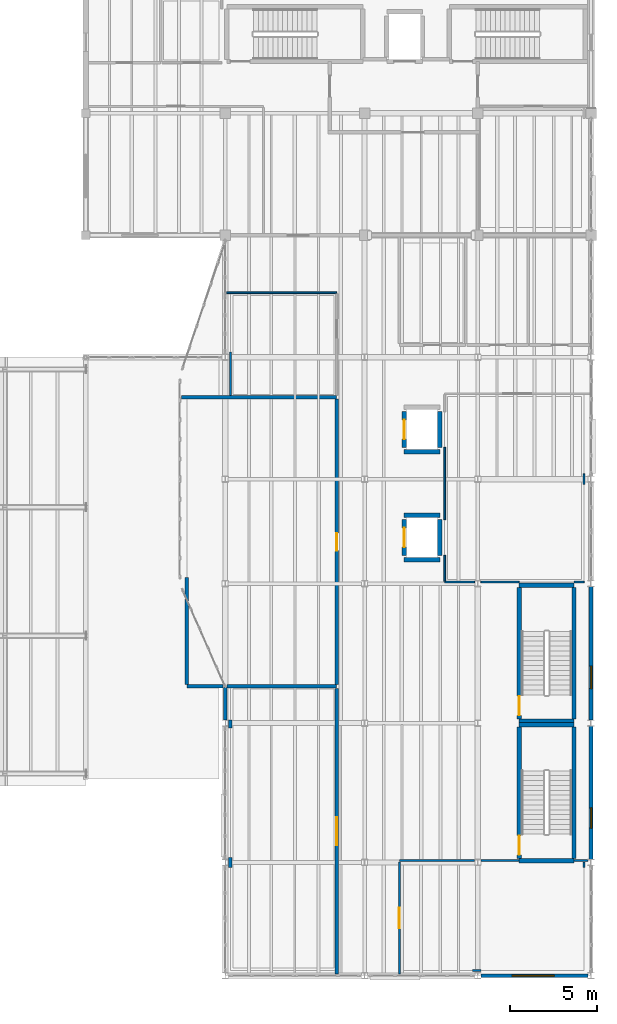
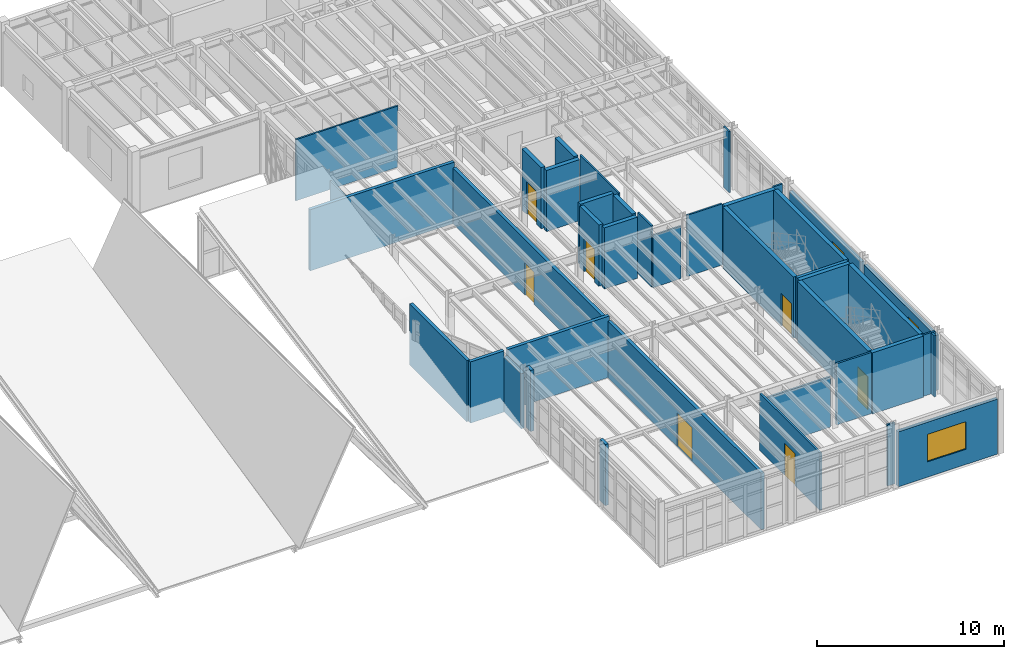
# One storey, part 72 of 77: 41 walls, 7 doors, 3 windows, 10 openings.
"""IFC4 building model written with IfcOpenShell, lengths in metres."""

import ifcopenshell
import ifcopenshell.guid

model = None  # the IFC model being written
_history = None  # IfcOwnerHistory: only IFC2X3 demands one
_inside = {}  # id of a spatial element -> (the spatial element, [elements in it])
_under = {}  # id of a project, library or spatial element -> (it, [spatial elements below it])
_declared = {}  # id of a project -> (the project, [libraries it declares])
_typed = {}  # id of a type object -> (the type object, [elements of that type])
_made_of = {}  # id of a material, layer set ... -> (it, [elements and type objects made of it])


def new_model(schema):
    """Start an empty IFC model of exactly this schema.

    Asked for "IFC4X3", IfcOpenShell would pick the latest addendum, in which some entities
    have other attributes; the version numbers below select the first issue.
    IFC2X3 requires an IfcOwnerHistory on every rooted entity: one is made here for all.
    """
    global model, _history
    if schema == "IFC4X3":
        model = ifcopenshell.file(schema_version=(4, 3, 0, 0))
    else:
        model = ifcopenshell.file(schema=schema)
    _inside.clear()
    _under.clear()
    _declared.clear()
    _typed.clear()
    _made_of.clear()
    _history = None
    if model.schema == "IFC2X3":
        org = make("IfcOrganization", Name="unknown")
        user = make(
            "IfcPersonAndOrganization",
            ThePerson=make("IfcPerson", FamilyName="unknown"),
            TheOrganization=org,
        )
        app = make(
            "IfcApplication",
            ApplicationDeveloper=org,
            Version="unknown",
            ApplicationFullName="unknown",
            ApplicationIdentifier="unknown",
        )
        _history = make(
            "IfcOwnerHistory",
            OwningUser=user,
            OwningApplication=app,
            ChangeAction="ADDED",
            CreationDate=0,
        )
    return model


def make(cls, **values):
    """One entity of the class cls with the attributes given. An attribute that is None is left unset."""
    return model.create_entity(
        cls, **{name: value for name, value in values.items() if value is not None}
    )


def rooted(cls, **values):
    """An entity with a GlobalId (a new one), such as an element, a storey or a relation."""
    return make(cls, GlobalId=ifcopenshell.guid.new(), OwnerHistory=_history, **values)


def si_unit(unit_type, name, prefix=None):
    """IfcSIUnit, for example si_unit("LENGTHUNIT", "METRE", prefix="MILLI")."""
    return make("IfcSIUnit", UnitType=unit_type, Prefix=prefix, Name=name)


def assignment(units):
    """IfcUnitAssignment: the units of a project."""
    return None if units is None else make("IfcUnitAssignment", Units=units)


def point(xyz):
    """IfcCartesianPoint."""
    return None if xyz is None else make("IfcCartesianPoint", Coordinates=xyz)


def direction(xyz):
    """IfcDirection."""
    return None if xyz is None else make("IfcDirection", DirectionRatios=xyz)


def frame(location, z_axis=None, x_axis=None):
    """IfcAxis2Placement3D, a coordinate frame: its origin and axes. An axis left out is left unset."""
    return make(
        "IfcAxis2Placement3D",
        Location=point(location),
        Axis=direction(z_axis),
        RefDirection=direction(x_axis),
    )


def frame_2d(location, x_axis=None):
    """IfcAxis2Placement2D, a coordinate frame in the plane: its origin and x axis."""
    return make(
        "IfcAxis2Placement2D", Location=point(location), RefDirection=direction(x_axis)
    )


def origin():
    """The frame at (0, 0, 0) with its axes left unset."""
    return frame((0.0, 0.0, 0.0))


def place(relative_to, where):
    """IfcLocalPlacement: puts the frame where relative to a parent placement (None: the world)."""
    return make(
        "IfcLocalPlacement", PlacementRelTo=relative_to, RelativePlacement=where
    )


def context(
    kind, dimensions, precision=None, world=None, true_north=None, identifier=None
):
    """IfcGeometricRepresentationContext, for example the 3D "Model" context."""
    return make(
        "IfcGeometricRepresentationContext",
        ContextIdentifier=identifier,
        ContextType=kind,
        CoordinateSpaceDimension=dimensions,
        Precision=precision,
        WorldCoordinateSystem=world,
        TrueNorth=true_north,
    )


def subcontext(parent, identifier, kind, view, scale=None):
    """IfcGeometricRepresentationSubContext, for example "Body" below "Model"."""
    return make(
        "IfcGeometricRepresentationSubContext",
        ContextIdentifier=identifier,
        ContextType=kind,
        ParentContext=parent,
        TargetScale=scale,
        TargetView=view,
    )


def project(units=None, contexts=None):
    """IfcProject with its units and contexts."""
    return rooted(
        "IfcProject",
        Name="project",
        RepresentationContexts=contexts,
        UnitsInContext=assignment(units),
    )


def spatial(cls, under=None, at=None, **own):
    """A site, building, storey or space (cls), placed at a placement, below another one or the project."""
    s = rooted(cls, ObjectPlacement=at, **own)
    if under is not None:
        _under.setdefault(under.id(), (under, []))[1].append(s)
    return s


def profile(cls, at=None, kind="AREA", **sizes):
    """A parametric profile (cls). Its sizes go by their IFC names, for example OverallWidth=200.0."""
    return make(cls, ProfileType=kind, Position=at, **sizes)


def rectangle(**sizes):
    """IfcRectangleProfileDef."""
    return profile("IfcRectangleProfileDef", **sizes)


def extrude(swept, where, along, depth):
    """IfcExtrudedAreaSolid: the profile swept, set in the frame where, extruded along a direction by depth."""
    return make(
        "IfcExtrudedAreaSolid",
        SweptArea=swept,
        Position=where,
        ExtrudedDirection=direction(along),
        Depth=depth,
    )


def shape(context_of_items, identifier, shape_type, items):
    """IfcShapeRepresentation: the items that make up one representation, for example the "Body"."""
    return make(
        "IfcShapeRepresentation",
        ContextOfItems=context_of_items,
        RepresentationIdentifier=identifier,
        RepresentationType=shape_type,
        Items=items,
    )


def material(Name=None, Category=None):
    """IfcMaterial."""
    return make("IfcMaterial", Name=Name, Category=Category)


def layer(
    of_material, thickness, ventilated=None, Name=None, Category=None, Priority=None
):
    """IfcMaterialLayer: one layer of a wall or slab, of a material (None: an air gap)."""
    return make(
        "IfcMaterialLayer",
        Material=of_material,
        LayerThickness=thickness,
        IsVentilated=ventilated,
        Name=Name,
        Category=Category,
        Priority=Priority,
    )


def layer_set(layers, Name=None):
    """IfcMaterialLayerSet."""
    return make("IfcMaterialLayerSet", MaterialLayers=layers, LayerSetName=Name)


def made_of(thing, what):
    """Note that an element or type object is made of a material, layer set ...; save() writes the relation."""
    if what is not None:
        _made_of.setdefault(what.id(), (what, []))[1].append(thing)
    return thing


def type_object(cls, material=None, **own):
    """A type object (cls), such as IfcWallType, which elements share."""
    return made_of(rooted(cls, **own), material)


def element(
    cls,
    number,
    at=None,
    inside=None,
    cuts=None,
    type_object=None,
    material=None,
    context=None,
    identifier="Body",
    shape_type=None,
    held_by="IfcProductDefinitionShape",
    body=None,
    shapes=None,
    **own,
):
    """One element of the class cls, such as IfcWall. Its Tag is "e" and its number.

    at: its placement. inside: the storey or other place that contains it. cuts: it is an
    opening in that element (IfcRelVoidsElement). A single representation is given by context,
    identifier, shape_type and body (its items); several are given by shapes. held_by: the class
    of the entity that holds the representations. save() writes the other relations.
    """
    e = rooted(cls, Tag="e%d" % number, ObjectPlacement=at, **own)
    if body is not None:
        shapes = [shape(context, identifier, shape_type, body)]
    if shapes is not None:
        e.Representation = make(held_by, Representations=shapes)
    if inside is not None:
        _inside.setdefault(inside.id(), (inside, []))[1].append(e)
    if cuts is not None:
        rooted(
            "IfcRelVoidsElement", RelatingBuildingElement=cuts, RelatedOpeningElement=e
        )
    if type_object is not None:
        _typed.setdefault(type_object.id(), (type_object, []))[1].append(e)
    return made_of(e, material)


def fill(opening, filler):
    """IfcRelFillsElement: the door or window that sits in an opening."""
    return rooted(
        "IfcRelFillsElement",
        RelatingOpeningElement=opening,
        RelatedBuildingElement=filler,
    )


def aggregate(whole, parts):
    """IfcRelAggregates: a whole, such as a stair, and the parts it consists of."""
    return rooted("IfcRelAggregates", RelatingObject=whole, RelatedObjects=parts)


def save(model, path):
    """Write the relations noted so far, then the file.

    IfcRelAggregates (storeys below a building ...), IfcRelContainedInSpatialStructure (elements
    in a storey), IfcRelDefinesByType, IfcRelAssociatesMaterial and IfcRelDeclares: one each for
    every whole, place, type object, material and project.
    """
    for whole, parts in _under.values():
        aggregate(whole, parts)
    for where, things in _inside.values():
        rooted(
            "IfcRelContainedInSpatialStructure",
            RelatedElements=things,
            RelatingStructure=where,
        )
    for kind, things in _typed.values():
        rooted("IfcRelDefinesByType", RelatedObjects=things, RelatingType=kind)
    for what, things in _made_of.values():
        rooted("IfcRelAssociatesMaterial", RelatedObjects=things, RelatingMaterial=what)
    for by, libraries in _declared.values():
        rooted("IfcRelDeclares", RelatingContext=by, RelatedDefinitions=libraries)
    model.write(path)


model = new_model("IFC4")

# Units and contexts
model_context = context("Model", 3, precision=1e-05, world=origin(), true_north=direction((0.0, 1.0)))
body_context = subcontext(model_context, "Body", "Model", "MODEL_VIEW")
ifc_project = project(units=[si_unit("LENGTHUNIT", "METRE"), si_unit("AREAUNIT", "SQUARE_METRE"), si_unit("VOLUMEUNIT", "CUBIC_METRE"), si_unit("PLANEANGLEUNIT", "RADIAN"), si_unit("MASSUNIT", "GRAM", prefix="KILO"), si_unit("THERMODYNAMICTEMPERATUREUNIT", "KELVIN"), si_unit("POWERUNIT", "WATT")], contexts=[model_context])

# Site, building, storey
site_placement = place(None, origin())
site = spatial("IfcSite", under=ifc_project, at=site_placement, CompositionType="ELEMENT")
building_placement = place(site_placement, origin())
building = spatial("IfcBuilding", under=site, at=building_placement, Name="Zhenchuan Central Fire Station", CompositionType="ELEMENT")
storey_placement = place(building_placement, frame((0.0, 0.0, 10.050048828125)))
storey = spatial("IfcBuildingStorey", under=building, at=storey_placement, Name="L03", CompositionType="ELEMENT", Elevation=10.050048828125)

# Wall, opening, window
ifc_material_1 = material(Name="Precast concrete C40/50", Category="concrete")
ifc_layer_1 = layer(ifc_material_1, 0.219970703125, Name="Precast concrete C40/50", Category="concrete")
ifc_layer_set_1 = layer_set([ifc_layer_1], Name="Precast concrete C40/50")
wall_type_1 = type_object("IfcWallType", Name="EW-PRC220", PredefinedType="SOLIDWALL", material=ifc_layer_set_1)
wall_1_placement = place(storey_placement, frame((154.675048828125, 0.0, 0.0), z_axis=(0.0, 0.0, 1.0), x_axis=(1.0, 0.0, 0.0)))
wall_1 = element("IfcWall", 1, at=wall_1_placement, inside=storey, type_object=wall_type_1, Name="EW-L03-V2S-2", PredefinedType="SOLIDWALL", context=body_context, shape_type="SweptSolid", body=[
    extrude(rectangle(XDim=6.14990234375, YDim=0.219970703125, at=frame_2d((3.074951171875, 0.0))), origin(), (0.0, 0.0, 1.0), 3.593994140625),
])
opening_1_placement = place(wall_1_placement, frame((1.800048828125, 0.0, 1.0)))
opening_1 = element("IfcOpeningElement", 2, at=opening_1_placement, cuts=wall_1, Name="Opening W-28", PredefinedType="OPENING", context=body_context, shape_type="SweptSolid", body=[
    extrude(rectangle(XDim=2.39990234375, YDim=1.800048828125, at=frame_2d((1.199951171875, 0.89990234375))), frame((0.0, 0.119873046875, 0.0), z_axis=(0.0, -1.0, 0.0), x_axis=(1.0, 0.0, 0.0)), (0.0, 0.0, 1.0), 0.239990234375),
])
ifc_material_2 = material(Name="Laminated low-E double glazing in aluminium frame", Category="aluminium")
window_type_1 = type_object("IfcWindowType", Name="WN-28", PartitioningType="SINGLE_PANEL", PredefinedType="WINDOW", material=ifc_material_2)
window_1_placement = place(opening_1_placement, origin())
window_1 = element("IfcWindow", 3, at=window_1_placement, inside=storey, type_object=window_type_1, Name="Exterior Window 0091", OverallHeight=1.800048828125, OverallWidth=2.39990234375, PartitioningType="SINGLE_PANEL", PredefinedType="WINDOW", context=body_context, shape_type="SweptSolid", body=[
    extrude(rectangle(XDim=2.39990234375, YDim=1.800048828125, at=frame_2d((1.199951171875, 0.89990234375))), frame((0.0, 0.030029296875, 0.0), z_axis=(0.0, -1.0, 0.0), x_axis=(1.0, 0.0, 0.0)), (0.0, 0.0, 1.0), 0.06005859375),
])
fill(opening_1, window_1)

wall_2_placement = place(storey_placement, frame((161.0, 6.675048828125, 0.0), z_axis=(0.0, 0.0, 1.0), x_axis=(0.0, 1.0, 0.0)))
wall_2 = element("IfcWall", 4, at=wall_2_placement, inside=storey, type_object=wall_type_1, Name="EW-L03-V2E-1", PredefinedType="SOLIDWALL", context=body_context, shape_type="SweptSolid", body=[
    extrude(rectangle(XDim=7.64990234375, YDim=0.219970703125, at=frame_2d((3.824951171875, 0.0))), origin(), (0.0, 0.0, 1.0), 3.593994140625),
])
opening_2_placement = place(wall_2_placement, frame((1.800048828125, 0.0, 1.050048828125)))
opening_2 = element("IfcOpeningElement", 5, at=opening_2_placement, cuts=wall_2, Name="Opening W-32", PredefinedType="OPENING", context=body_context, shape_type="SweptSolid", body=[
    extrude(rectangle(XDim=1.14990234375, YDim=2.0, at=frame_2d((0.574951171875, 1.0))), frame((0.0, 0.119873046875, 0.0), z_axis=(0.0, -1.0, 0.0), x_axis=(1.0, 0.0, 0.0)), (0.0, 0.0, 1.0), 0.239990234375),
])
window_type_2 = type_object("IfcWindowType", Name="WN-32", PartitioningType="SINGLE_PANEL", PredefinedType="WINDOW", material=ifc_material_2)
window_2_placement = place(opening_2_placement, origin())
window_2 = element("IfcWindow", 6, at=window_2_placement, inside=storey, type_object=window_type_2, Name="Exterior Window 0092", OverallHeight=2.0, OverallWidth=1.14990234375, PartitioningType="SINGLE_PANEL", PredefinedType="WINDOW", context=body_context, shape_type="SweptSolid", body=[
    extrude(rectangle(XDim=1.14990234375, YDim=2.0, at=frame_2d((0.574951171875, 1.0))), frame((0.0, 0.030029296875, 0.0), z_axis=(0.0, -1.0, 0.0), x_axis=(1.0, 0.0, 0.0)), (0.0, 0.0, 1.0), 0.06005859375),
])
fill(opening_2, window_2)

wall_3_placement = place(storey_placement, frame((161.0, 14.675048828125, 0.0), z_axis=(0.0, 0.0, 1.0), x_axis=(0.0, 1.0, 0.0)))
wall_3 = element("IfcWall", 7, at=wall_3_placement, inside=storey, type_object=wall_type_1, Name="EW-L03-V2E-2", PredefinedType="SOLIDWALL", context=body_context, shape_type="SweptSolid", body=[
    extrude(rectangle(XDim=7.64990234375, YDim=0.219970703125, at=frame_2d((3.824951171875, 0.0))), origin(), (0.0, 0.0, 1.0), 3.553955078125),
])
opening_3_placement = place(wall_3_placement, frame((1.800048828125, 0.0, 1.050048828125)))
opening_3 = element("IfcOpeningElement", 8, at=opening_3_placement, cuts=wall_3, Name="Opening W-33", PredefinedType="OPENING", context=body_context, shape_type="SweptSolid", body=[
    extrude(rectangle(XDim=1.300048828125, YDim=2.0, at=frame_2d((0.64990234375, 1.0))), frame((0.0, 0.119873046875, 0.0), z_axis=(0.0, -1.0, 0.0), x_axis=(1.0, 0.0, 0.0)), (0.0, 0.0, 1.0), 0.239990234375),
])
window_type_3 = type_object("IfcWindowType", Name="WN-33", PartitioningType="SINGLE_PANEL", PredefinedType="WINDOW", material=ifc_material_2)
window_3_placement = place(opening_3_placement, origin())
window_3 = element("IfcWindow", 9, at=window_3_placement, inside=storey, type_object=window_type_3, Name="Exterior Window 0093", OverallHeight=2.0, OverallWidth=1.300048828125, PartitioningType="SINGLE_PANEL", PredefinedType="WINDOW", context=body_context, shape_type="SweptSolid", body=[
    extrude(rectangle(XDim=1.300048828125, YDim=2.0, at=frame_2d((0.64990234375, 1.0))), frame((0.0, 0.030029296875, 0.0), z_axis=(0.0, -1.0, 0.0), x_axis=(1.0, 0.0, 0.0)), (0.0, 0.0, 1.0), 0.06005859375),
])
fill(opening_3, window_3)

# Walls
wall_4_placement = place(storey_placement, frame((140.0, 14.675048828125, 0.0), z_axis=(0.0, 0.0, 1.0), x_axis=(0.0, 1.0, 0.0)))
element("IfcWall", 10, at=wall_4_placement, inside=storey, type_object=wall_type_1, Name="Headquarters Bridge South-West Closure Wall", PredefinedType="SOLIDWALL", context=body_context, shape_type="SweptSolid", body=[
    extrude(rectangle(XDim=1.875, YDim=0.219970703125, at=frame_2d((0.9375, 0.0))), origin(), (0.0, 0.0, 1.0), 3.60400390625),
])
ifc_material_3 = material(Name="Autoclaved aerated concrete blockwork", Category="masonry")
ifc_layer_2 = layer(ifc_material_3, 0.199951171875, Name="Autoclaved aerated concrete blockwork", Category="masonry")
ifc_layer_set_2 = layer_set([ifc_layer_2], Name="Autoclaved aerated concrete blockwork")
wall_type_2 = type_object("IfcWallType", Name="IW-FIR200", PredefinedType="PARTITIONING", material=ifc_layer_set_2)
wall_5_placement = place(storey_placement, frame((140.113037109375, 16.60009765625, 0.0), z_axis=(0.0, 0.0, 1.0), x_axis=(1.0, 0.0, 0.0)))
element("IfcWall", 11, at=wall_5_placement, inside=storey, type_object=wall_type_2, Name="Tactical Disaster Simulation Lab N Partition", PredefinedType="PARTITIONING", context=body_context, shape_type="SweptSolid", body=[
    extrude(rectangle(XDim=6.286865234375, YDim=0.199951171875, at=frame_2d((3.1435546875, 0.0))), origin(), (0.0, 0.0, 1.0), 4.0),
])
wall_6_placement = place(storey_placement, frame((140.300048828125, 6.202880859375, 0.0), z_axis=(0.0, 0.0, 1.0), x_axis=(0.0, 1.0, 0.0)))
element("IfcWall", 12, at=wall_6_placement, inside=storey, type_object=wall_type_2, Name="Tactical Disaster Simulation Lab W Partition 1", PredefinedType="PARTITIONING", context=body_context, shape_type="SweptSolid", body=[
    extrude(rectangle(XDim=0.59423828125, YDim=0.199951171875, at=frame_2d((0.297119140625, 0.0))), origin(), (0.0, 0.0, 1.0), 4.0),
])
wall_7_placement = place(storey_placement, frame((140.300048828125, 14.202880859375, 0.0), z_axis=(0.0, 0.0, 1.0), x_axis=(0.0, 1.0, 0.0)))
element("IfcWall", 13, at=wall_7_placement, inside=storey, type_object=wall_type_2, Name="Tactical Disaster Simulation Lab W Partition 2", PredefinedType="PARTITIONING", context=body_context, shape_type="SweptSolid", body=[
    extrude(rectangle(XDim=0.46923828125, YDim=0.199951171875, at=frame_2d((0.234619140625, 0.0))), origin(), (0.0, 0.0, 1.0), 4.0),
])

# Wall, opening, door
wall_8_placement = place(storey_placement, frame((146.39990234375, 0.0830078125, 0.0), z_axis=(0.0, 0.0, 1.0), x_axis=(0.0, 1.0, 0.0)))
wall_8 = element("IfcWall", 14, at=wall_8_placement, inside=storey, type_object=wall_type_2, Name="Tactical Disaster Simulation Lab E Partition", PredefinedType="PARTITIONING", context=body_context, shape_type="SweptSolid", body=[
    extrude(rectangle(XDim=16.4140625, YDim=0.199951171875, at=frame_2d((8.20703125, 0.0))), origin(), (0.0, 0.0, 1.0), 3.699951171875),
])
opening_4_placement = place(wall_8_placement, frame((7.406982421875, 0.0, 0.0)))
opening_4 = element("IfcOpeningElement", 15, at=opening_4_placement, cuts=wall_8, Name="Opening D-159", PredefinedType="OPENING", context=body_context, shape_type="SweptSolid", body=[
    extrude(rectangle(XDim=1.60009765625, YDim=2.199951171875, at=frame_2d((0.800048828125, 1.10009765625))), frame((0.0, 0.10986328125, 0.0), z_axis=(0.0, -1.0, 0.0), x_axis=(1.0, 0.0, 0.0)), (0.0, 0.0, 1.0), 0.219970703125),
])
ifc_material_4 = material(Name="Glazed timber double corridor fire door", Category="wood")
door_type_1 = type_object("IfcDoorType", Name="ID-COR-160x220", OperationType="NOTDEFINED", PredefinedType="DOOR", material=ifc_material_4)
door_1_placement = place(opening_4_placement, origin())
door_1 = element("IfcDoor", 16, at=door_1_placement, inside=storey, type_object=door_type_1, Name="Tactical Disaster Simulation Lab Door", OperationType="SINGLE_SWING_LEFT", OverallHeight=2.199951171875, OverallWidth=1.60009765625, PredefinedType="DOOR", context=body_context, shape_type="SweptSolid", body=[
    extrude(rectangle(XDim=1.60009765625, YDim=2.199951171875, at=frame_2d((0.800048828125, 1.10009765625))), frame((0.0, 0.02490234375, 0.0), z_axis=(0.0, -1.0, 0.0), x_axis=(1.0, 0.0, 0.0)), (0.0, 0.0, 1.0), 0.050048828125),
])
fill(opening_4, door_1)

# Walls
wall_9_placement = place(storey_placement, frame((137.800048828125, 16.60009765625, 0.0), z_axis=(0.0, 0.0, 1.0), x_axis=(1.0, 0.0, 0.0)))
element("IfcWall", 17, at=wall_9_placement, inside=storey, type_object=wall_type_2, Name="GIS Mapping and Intelligence Room S Partition", PredefinedType="PARTITIONING", context=body_context, shape_type="SweptSolid", body=[
    extrude(rectangle(XDim=2.0869140625, YDim=0.199951171875, at=frame_2d((1.04345703125, 0.0))), origin(), (0.0, 0.0, 1.0), 4.0),
])
wall_10_placement = place(storey_placement, frame((137.48291015625, 33.199951171875, 0.0), z_axis=(0.0, 0.0, 1.0), x_axis=(1.0, 0.0, 0.0)))
element("IfcWall", 18, at=wall_10_placement, inside=storey, type_object=wall_type_2, Name="GIS Mapping and Intelligence Room N Partition", PredefinedType="PARTITIONING", context=body_context, shape_type="SweptSolid", body=[
    extrude(rectangle(XDim=8.9169921875, YDim=0.199951171875, at=frame_2d((4.45849609375, 0.0))), origin(), (0.0, 0.0, 1.0), 4.0),
])
wall_11_placement = place(storey_placement, frame((137.800048828125, 16.702880859375, 0.0), z_axis=(0.0, 0.0, 1.0), x_axis=(0.0, 1.0, 0.0)))
element("IfcWall", 19, at=wall_11_placement, inside=storey, type_object=wall_type_2, Name="GIS Mapping and Intelligence Room W Partition", PredefinedType="PARTITIONING", context=body_context, shape_type="SweptSolid", body=[
    extrude(rectangle(XDim=6.14404296875, YDim=0.199951171875, at=frame_2d((3.072021484375, 0.0))), origin(), (0.0, 0.0, 1.0), 4.0),
])

# Wall, opening, door
wall_12_placement = place(storey_placement, frame((146.39990234375, 16.702880859375, 0.0), z_axis=(0.0, 0.0, 1.0), x_axis=(0.0, 1.0, 0.0)))
wall_12 = element("IfcWall", 20, at=wall_12_placement, inside=storey, type_object=wall_type_2, Name="GIS Mapping and Intelligence Room E Partition", PredefinedType="PARTITIONING", context=body_context, shape_type="SweptSolid", body=[
    extrude(rectangle(XDim=16.39404296875, YDim=0.199951171875, at=frame_2d((8.197021484375, 0.0))), origin(), (0.0, 0.0, 1.0), 3.64404296875),
])
opening_5_placement = place(wall_12_placement, frame((7.697021484375, 0.0, 0.0)))
opening_5 = element("IfcOpeningElement", 21, at=opening_5_placement, cuts=wall_12, Name="Opening D-160", PredefinedType="OPENING", context=body_context, shape_type="SweptSolid", body=[
    extrude(rectangle(XDim=1.0, YDim=2.10009765625, at=frame_2d((0.5, 1.050048828125))), frame((0.0, 0.10986328125, 0.0), z_axis=(0.0, -1.0, 0.0), x_axis=(1.0, 0.0, 0.0)), (0.0, 0.0, 1.0), 0.219970703125),
])
ifc_material_5 = material(Name="Solid-core timber office door", Category="wood")
door_type_2 = type_object("IfcDoorType", Name="ID-OFF-100x210", OperationType="NOTDEFINED", PredefinedType="DOOR", material=ifc_material_5)
door_2_placement = place(opening_5_placement, origin())
door_2 = element("IfcDoor", 22, at=door_2_placement, inside=storey, type_object=door_type_2, Name="GIS Mapping and Intelligence Room Door", OperationType="SINGLE_SWING_RIGHT", OverallHeight=2.10009765625, OverallWidth=1.0, PredefinedType="DOOR", context=body_context, shape_type="SweptSolid", body=[
    extrude(rectangle(XDim=1.0, YDim=2.10009765625, at=frame_2d((0.5, 1.050048828125))), frame((0.0, 0.02490234375, 0.0), z_axis=(0.0, -1.0, 0.0), x_axis=(1.0, 0.0, 0.0)), (0.0, 0.0, 1.0), 0.050048828125),
])
fill(opening_5, door_2)

# Walls
ifc_material_6 = material(Name="Gypsum plasterboard on steel studs", Category="gypsum")
ifc_layer_3 = layer(ifc_material_6, 0.10009765625, Name="Gypsum plasterboard on steel studs", Category="gypsum")
ifc_layer_set_3 = layer_set([ifc_layer_3], Name="Gypsum plasterboard on steel studs")
wall_type_3 = type_object("IfcWallType", Name="IW-GYP100", PredefinedType="PARTITIONING", material=ifc_layer_set_3)
wall_13_placement = place(storey_placement, frame((140.0830078125, 39.199951171875, 0.0), z_axis=(0.0, 0.0, 1.0), x_axis=(1.0, 0.0, 0.0)))
element("IfcWall", 23, at=wall_13_placement, inside=storey, type_object=wall_type_3, Name="Detachment Commander Suite N Partition", PredefinedType="PARTITIONING", context=body_context, shape_type="SweptSolid", body=[
    extrude(rectangle(XDim=6.31689453125, YDim=0.10009765625, at=frame_2d((3.158447265625, 0.0))), origin(), (0.0, 0.0, 1.0), 4.0),
])
wall_14_placement = place(storey_placement, frame((140.300048828125, 33.302978515625, 0.0), z_axis=(0.0, 0.0, 1.0), x_axis=(0.0, 1.0, 0.0)))
element("IfcWall", 24, at=wall_14_placement, inside=storey, type_object=wall_type_3, Name="Detachment Commander Suite W Partition", PredefinedType="PARTITIONING", context=body_context, shape_type="SweptSolid", body=[
    extrude(rectangle(XDim=2.494140625, YDim=0.10009765625, at=frame_2d((1.2470703125, 0.0))), origin(), (0.0, 0.0, 1.0), 3.2939453125),
])
wall_15_placement = place(storey_placement, frame((152.60009765625, 22.60009765625, 0.0), z_axis=(0.0, 0.0, 1.0), x_axis=(1.0, 0.0, 0.0)))
element("IfcWall", 25, at=wall_15_placement, inside=storey, type_object=wall_type_3, Name="Operations Conference Room S Partition 1", PredefinedType="PARTITIONING", context=body_context, shape_type="SweptSolid", body=[
    extrude(rectangle(XDim=1.721923828125, YDim=0.10009765625, at=frame_2d((0.86083984375, 0.0))), origin(), (0.0, 0.0, 1.0), 3.44384765625),
])
wall_16_placement = place(storey_placement, frame((154.677978515625, 22.60009765625, 0.0), z_axis=(0.0, 0.0, 1.0), x_axis=(1.0, 0.0, 0.0)))
element("IfcWall", 26, at=wall_16_placement, inside=storey, type_object=wall_type_3, Name="Operations Conference Room S Partition 2", PredefinedType="PARTITIONING", context=body_context, shape_type="SweptSolid", body=[
    extrude(rectangle(XDim=2.194091796875, YDim=0.10009765625, at=frame_2d((1.09716796875, 0.0))), origin(), (0.0, 0.0, 1.0), 4.0),
])
wall_17_placement = place(storey_placement, frame((160.028076171875, 22.60009765625, 0.0), z_axis=(0.0, 0.0, 1.0), x_axis=(1.0, 0.0, 0.0)))
element("IfcWall", 27, at=wall_17_placement, inside=storey, type_object=wall_type_3, Name="Operations Conference Room S Partition 3", PredefinedType="PARTITIONING", context=body_context, shape_type="SweptSolid", body=[
    extrude(rectangle(XDim=0.572021484375, YDim=0.10009765625, at=frame_2d((0.2861328125, 0.0))), origin(), (0.0, 0.0, 1.0), 4.0),
])
wall_18_placement = place(storey_placement, frame((152.60009765625, 22.653076171875, 0.0), z_axis=(0.0, 0.0, 1.0), x_axis=(0.0, 1.0, 0.0)))
element("IfcWall", 28, at=wall_18_placement, inside=storey, type_object=wall_type_3, Name="Operations Conference Room W Partition 1", PredefinedType="PARTITIONING", context=body_context, shape_type="SweptSolid", body=[
    extrude(rectangle(XDim=1.468994140625, YDim=0.10009765625, at=frame_2d((0.734375, 0.0))), origin(), (0.0, 0.0, 1.0), 4.0),
])
wall_19_placement = place(storey_placement, frame((152.60009765625, 26.177978515625, 0.0), z_axis=(0.0, 0.0, 1.0), x_axis=(0.0, 1.0, 0.0)))
element("IfcWall", 29, at=wall_19_placement, inside=storey, type_object=wall_type_3, Name="Operations Conference Room W Partition 2", PredefinedType="PARTITIONING", context=body_context, shape_type="SweptSolid", body=[
    extrude(rectangle(XDim=4.14404296875, YDim=0.10009765625, at=frame_2d((2.072021484375, 0.0))), origin(), (0.0, 0.0, 1.0), 4.0),
])
wall_20_placement = place(storey_placement, frame((160.60009765625, 28.202880859375, 0.0), z_axis=(0.0, 0.0, 1.0), x_axis=(0.0, 1.0, 0.0)))
element("IfcWall", 30, at=wall_20_placement, inside=storey, type_object=wall_type_3, Name="Operations Conference Room E Partition", PredefinedType="PARTITIONING", context=body_context, shape_type="SweptSolid", body=[
    extrude(rectangle(XDim=0.59423828125, YDim=0.10009765625, at=frame_2d((0.297119140625, 0.0))), origin(), (0.0, 0.0, 1.0), 4.0),
])
ifc_layer_4 = layer(ifc_material_6, 0.1201171875, Name="Gypsum plasterboard on steel studs", Category="gypsum")
ifc_layer_set_4 = layer_set([ifc_layer_4], Name="Gypsum plasterboard on steel studs")
wall_type_4 = type_object("IfcWallType", Name="IW-GYP120", PredefinedType="PARTITIONING", material=ifc_layer_set_4)
wall_21_placement = place(storey_placement, frame((154.202880859375, 0.300048828125, 0.0), z_axis=(0.0, 0.0, 1.0), x_axis=(1.0, 0.0, 0.0)))
element("IfcWall", 31, at=wall_21_placement, inside=storey, type_object=wall_type_4, Name="Strategic Operations Briefing Room S Partition", PredefinedType="PARTITIONING", context=body_context, shape_type="SweptSolid", body=[
    extrude(rectangle(XDim=0.46923828125, YDim=0.1201171875, at=frame_2d((0.234619140625, 0.0))), origin(), (0.0, 0.0, 1.0), 4.0),
])
wall_22_placement = place(storey_placement, frame((150.0, 6.60009765625, 0.0), z_axis=(0.0, 0.0, 1.0), x_axis=(1.0, 0.0, 0.0)))
element("IfcWall", 32, at=wall_22_placement, inside=storey, type_object=wall_type_4, Name="Strategic Operations Briefing Room N Partition 1", PredefinedType="PARTITIONING", context=body_context, shape_type="SweptSolid", body=[
    extrude(rectangle(XDim=4.322021484375, YDim=0.1201171875, at=frame_2d((2.1611328125, 0.0))), origin(), (0.0, 0.0, 1.0), 3.2939453125),
])
wall_23_placement = place(storey_placement, frame((154.677978515625, 6.60009765625, 0.0), z_axis=(0.0, 0.0, 1.0), x_axis=(1.0, 0.0, 0.0)))
element("IfcWall", 33, at=wall_23_placement, inside=storey, type_object=wall_type_4, Name="Strategic Operations Briefing Room N Partition 2", PredefinedType="PARTITIONING", context=body_context, shape_type="SweptSolid", body=[
    extrude(rectangle(XDim=2.194091796875, YDim=0.1201171875, at=frame_2d((1.09716796875, 0.0))), origin(), (0.0, 0.0, 1.0), 4.0),
])
wall_24_placement = place(storey_placement, frame((160.028076171875, 6.60009765625, 0.0), z_axis=(0.0, 0.0, 1.0), x_axis=(1.0, 0.0, 0.0)))
element("IfcWall", 34, at=wall_24_placement, inside=storey, type_object=wall_type_4, Name="Strategic Operations Briefing Room N Partition 3", PredefinedType="PARTITIONING", context=body_context, shape_type="SweptSolid", body=[
    extrude(rectangle(XDim=0.7939453125, YDim=0.1201171875, at=frame_2d((0.39697265625, 0.0))), origin(), (0.0, 0.0, 1.0), 4.0),
])

# Wall, opening, door
wall_25_placement = place(storey_placement, frame((150.0, 0.0830078125, 0.0), z_axis=(0.0, 0.0, 1.0), x_axis=(0.0, 1.0, 0.0)))
wall_25 = element("IfcWall", 35, at=wall_25_placement, inside=storey, type_object=wall_type_4, Name="Strategic Operations Briefing Room W Partition", PredefinedType="PARTITIONING", context=body_context, shape_type="SweptSolid", body=[
    extrude(rectangle(XDim=6.4541015625, YDim=0.1201171875, at=frame_2d((3.22705078125, 0.0))), origin(), (0.0, 0.0, 1.0), 3.75),
])
opening_6_placement = place(wall_25_placement, frame((2.652099609375, 0.0, 0.0)))
opening_6 = element("IfcOpeningElement", 36, at=opening_6_placement, cuts=wall_25, Name="Opening D-162", PredefinedType="OPENING", context=body_context, shape_type="SweptSolid", body=[
    extrude(rectangle(XDim=1.14990234375, YDim=2.10009765625, at=frame_2d((0.574951171875, 1.050048828125))), frame((0.0, 0.070068359375, 0.0), z_axis=(0.0, -1.0, 0.0), x_axis=(1.0, 0.0, 0.0)), (0.0, 0.0, 1.0), 0.14013671875),
])
ifc_material_7 = material(Name="Glazed vision-panel classroom door")
door_type_3 = type_object("IfcDoorType", Name="ID-CLS-115x210", OperationType="NOTDEFINED", PredefinedType="DOOR", material=ifc_material_7)
door_3_placement = place(opening_6_placement, origin())
door_3 = element("IfcDoor", 37, at=door_3_placement, inside=storey, type_object=door_type_3, Name="Strategic Operations Briefing Room Door", OperationType="SINGLE_SWING_RIGHT", OverallHeight=2.10009765625, OverallWidth=1.14990234375, PredefinedType="DOOR", context=body_context, shape_type="SweptSolid", body=[
    extrude(rectangle(XDim=1.14990234375, YDim=2.10009765625, at=frame_2d((0.574951171875, 1.050048828125))), frame((0.0, 0.02490234375, 0.0), z_axis=(0.0, -1.0, 0.0), x_axis=(1.0, 0.0, 0.0)), (0.0, 0.0, 1.0), 0.050048828125),
])
fill(opening_6, door_3)

# Walls
wall_26_placement = place(storey_placement, frame((160.60009765625, 6.202880859375, 0.0), z_axis=(0.0, 0.0, 1.0), x_axis=(0.0, 1.0, 0.0)))
element("IfcWall", 38, at=wall_26_placement, inside=storey, type_object=wall_type_4, Name="Strategic Operations Briefing Room E Partition", PredefinedType="PARTITIONING", context=body_context, shape_type="SweptSolid", body=[
    extrude(rectangle(XDim=0.334228515625, YDim=0.1201171875, at=frame_2d((0.1669921875, 0.0))), origin(), (0.0, 0.0, 1.0), 4.0),
])
ifc_material_8 = material(Name="Concrete C40/50", Category="concrete")
ifc_layer_5 = layer(ifc_material_8, 0.25, Name="Concrete C40/50", Category="concrete")
ifc_layer_set_5 = layer_set([ifc_layer_5], Name="Concrete C40/50")
wall_type_5 = type_object("IfcWallType", Name="IW-SHR250", PredefinedType="SHEAR", material=ifc_layer_set_5)
for number, where, z_axis, x_axis, name in (
    (39, (156.875, 6.594970703125, 0.0), (0.0, 0.0, 1.0), (1.0, 0.0, 0.0), "ST-10 L03 South Core Wall"),
    (40, (156.875, 14.405029296875, 0.0), (0.0, 0.0, 1.0), (1.0, 0.0, 0.0), "ST-10 L03 North Core Wall"),
):
    element("IfcWall", number, at=place(storey_placement, frame(where, z_axis=z_axis, x_axis=x_axis)), inside=storey, type_object=wall_type_5, Name=name, PredefinedType="SHEAR", context=body_context, shape_type="SweptSolid", body=[
        extrude(rectangle(XDim=3.14990234375, YDim=0.25, at=frame_2d((1.574951171875, 0.0))), origin(), (0.0, 0.0, 1.0), 4.0),
    ])

# Wall, opening, door
wall_27_placement = place(storey_placement, frame((156.875, 6.719970703125, 0.0), z_axis=(0.0, 0.0, 1.0), x_axis=(0.0, 1.0, 0.0)))
wall_27 = element("IfcWall", 41, at=wall_27_placement, inside=storey, type_object=wall_type_5, Name="ST-10 L03 West Core Wall", PredefinedType="SHEAR", context=body_context, shape_type="SweptSolid", body=[
    extrude(rectangle(XDim=7.56005859375, YDim=0.25, at=frame_2d((3.780029296875, 0.0))), origin(), (0.0, 0.0, 1.0), 4.0),
])
opening_7_placement = place(wall_27_placement, frame((0.219970703125, 0.0, 0.0)))
opening_7 = element("IfcOpeningElement", 42, at=opening_7_placement, cuts=wall_27, Name="Opening D-024", PredefinedType="OPENING", context=body_context, shape_type="SweptSolid", body=[
    extrude(rectangle(XDim=1.10009765625, YDim=2.14990234375, at=frame_2d((0.550048828125, 1.074951171875))), frame((0.0, 0.135009765625, 0.0), z_axis=(0.0, -1.0, 0.0), x_axis=(1.0, 0.0, 0.0)), (0.0, 0.0, 1.0), 0.27001953125),
])
ifc_material_9 = material(Name="Painted steel acoustic fire door", Category="steel")
door_type_4 = type_object("IfcDoorType", Name="ID-ST-110x215", OperationType="NOTDEFINED", PredefinedType="DOOR", material=ifc_material_9)
door_4_placement = place(opening_7_placement, origin())
door_4 = element("IfcDoor", 43, at=door_4_placement, inside=storey, type_object=door_type_4, Name="ST-10 L03 Fire Door", OperationType="SINGLE_SWING_RIGHT", OverallHeight=2.14990234375, OverallWidth=1.10009765625, PredefinedType="DOOR", context=body_context, shape_type="SweptSolid", body=[
    extrude(rectangle(XDim=1.10009765625, YDim=2.14990234375, at=frame_2d((0.550048828125, 1.074951171875))), frame((0.0, 0.02490234375, 0.0), z_axis=(0.0, -1.0, 0.0), x_axis=(1.0, 0.0, 0.0)), (0.0, 0.0, 1.0), 0.050048828125),
])
fill(opening_7, door_4)

# Walls
wall_28_placement = place(storey_placement, frame((160.02490234375, 6.719970703125, 0.0), z_axis=(0.0, 0.0, 1.0), x_axis=(0.0, 1.0, 0.0)))
element("IfcWall", 44, at=wall_28_placement, inside=storey, type_object=wall_type_5, Name="ST-10 L03 East Core Wall", PredefinedType="SHEAR", context=body_context, shape_type="SweptSolid", body=[
    extrude(rectangle(XDim=7.56005859375, YDim=0.25, at=frame_2d((3.780029296875, 0.0))), origin(), (0.0, 0.0, 1.0), 4.0),
])
for number, where, z_axis, x_axis, name in (
    (45, (156.875, 14.594970703125, 0.0), (0.0, 0.0, 1.0), (1.0, 0.0, 0.0), "ST-11 L03 South Core Wall"),
    (46, (156.875, 22.405029296875, 0.0), (0.0, 0.0, 1.0), (1.0, 0.0, 0.0), "ST-11 L03 North Core Wall"),
):
    element("IfcWall", number, at=place(storey_placement, frame(where, z_axis=z_axis, x_axis=x_axis)), inside=storey, type_object=wall_type_5, Name=name, PredefinedType="SHEAR", context=body_context, shape_type="SweptSolid", body=[
        extrude(rectangle(XDim=3.14990234375, YDim=0.25, at=frame_2d((1.574951171875, 0.0))), origin(), (0.0, 0.0, 1.0), 4.0),
    ])

# Wall, opening, door
wall_29_placement = place(storey_placement, frame((156.875, 14.719970703125, 0.0), z_axis=(0.0, 0.0, 1.0), x_axis=(0.0, 1.0, 0.0)))
wall_29 = element("IfcWall", 47, at=wall_29_placement, inside=storey, type_object=wall_type_5, Name="ST-11 L03 West Core Wall", PredefinedType="SHEAR", context=body_context, shape_type="SweptSolid", body=[
    extrude(rectangle(XDim=7.56005859375, YDim=0.25, at=frame_2d((3.780029296875, 0.0))), origin(), (0.0, 0.0, 1.0), 4.0),
])
opening_8_placement = place(wall_29_placement, frame((0.219970703125, 0.0, 0.0)))
opening_8 = element("IfcOpeningElement", 48, at=opening_8_placement, cuts=wall_29, Name="Opening D-028", PredefinedType="OPENING", context=body_context, shape_type="SweptSolid", body=[
    extrude(rectangle(XDim=1.10009765625, YDim=2.14990234375, at=frame_2d((0.550048828125, 1.074951171875))), frame((0.0, 0.135009765625, 0.0), z_axis=(0.0, -1.0, 0.0), x_axis=(1.0, 0.0, 0.0)), (0.0, 0.0, 1.0), 0.27001953125),
])
door_5_placement = place(opening_8_placement, origin())
door_5 = element("IfcDoor", 49, at=door_5_placement, inside=storey, type_object=door_type_4, Name="ST-11 L03 Fire Door", OperationType="SINGLE_SWING_RIGHT", OverallHeight=2.14990234375, OverallWidth=1.10009765625, PredefinedType="DOOR", context=body_context, shape_type="SweptSolid", body=[
    extrude(rectangle(XDim=1.10009765625, YDim=2.14990234375, at=frame_2d((0.550048828125, 1.074951171875))), frame((0.0, 0.02490234375, 0.0), z_axis=(0.0, -1.0, 0.0), x_axis=(1.0, 0.0, 0.0)), (0.0, 0.0, 1.0), 0.050048828125),
])
fill(opening_8, door_5)

# Walls
wall_30_placement = place(storey_placement, frame((160.02490234375, 14.719970703125, 0.0), z_axis=(0.0, 0.0, 1.0), x_axis=(0.0, 1.0, 0.0)))
element("IfcWall", 50, at=wall_30_placement, inside=storey, type_object=wall_type_5, Name="ST-11 L03 East Core Wall", PredefinedType="SHEAR", context=body_context, shape_type="SweptSolid", body=[
    extrude(rectangle(XDim=7.56005859375, YDim=0.25, at=frame_2d((3.780029296875, 0.0))), origin(), (0.0, 0.0, 1.0), 4.0),
])
for number, where, z_axis, x_axis, name in (
    (51, (150.27490234375, 23.875, 0.0), (0.0, 0.0, 1.0), (1.0, 0.0, 0.0), "Lift LP-01 L03 South Shaft Wall"),
    (52, (150.27490234375, 26.425048828125, 0.0), (0.0, 0.0, 1.0), (1.0, 0.0, 0.0), "Lift LP-01 L03 North Shaft Wall"),
):
    element("IfcWall", number, at=place(storey_placement, frame(where, z_axis=z_axis, x_axis=x_axis)), inside=storey, type_object=wall_type_5, Name=name, PredefinedType="SHEAR", context=body_context, shape_type="SweptSolid", body=[
        extrude(rectangle(XDim=2.050048828125, YDim=0.25, at=frame_2d((1.02490234375, 0.0))), origin(), (0.0, 0.0, 1.0), 4.0),
    ])

# Wall, opening, door
wall_31_placement = place(storey_placement, frame((150.27490234375, 24.125, 0.0), z_axis=(0.0, 0.0, 1.0), x_axis=(0.0, 1.0, 0.0)))
wall_31 = element("IfcWall", 53, at=wall_31_placement, inside=storey, type_object=wall_type_5, Name="Lift LP-01 L03 West Shaft Wall", PredefinedType="SHEAR", context=body_context, shape_type="SweptSolid", body=[
    extrude(rectangle(XDim=2.050048828125, YDim=0.25, at=frame_2d((1.02490234375, 0.0))), origin(), (0.0, 0.0, 1.0), 4.0),
])
opening_9_placement = place(wall_31_placement, frame((0.47509765625, 0.0, 0.0)))
opening_9 = element("IfcOpeningElement", 54, at=opening_9_placement, cuts=wall_31, Name="Opening LD-009", PredefinedType="OPENING", context=body_context, shape_type="SweptSolid", body=[
    extrude(rectangle(XDim=1.10009765625, YDim=2.14990234375, at=frame_2d((0.550048828125, 1.074951171875))), frame((0.0, 0.135009765625, 0.0), z_axis=(0.0, -1.0, 0.0), x_axis=(1.0, 0.0, 0.0)), (0.0, 0.0, 1.0), 0.27001953125),
])
ifc_material_10 = material(Name="Brushed stainless steel sliding landing door", Category="steel")
door_type_5 = type_object("IfcDoorType", Name="ID-LD-110x215", OperationType="NOTDEFINED", PredefinedType="DOOR", material=ifc_material_10)
door_6_placement = place(opening_9_placement, origin())
door_6 = element("IfcDoor", 55, at=door_6_placement, inside=storey, type_object=door_type_5, Name="Lift LP-01 L03 Sliding Landing Door", OperationType="DOUBLE_DOOR_SLIDING", OverallHeight=2.14990234375, OverallWidth=1.10009765625, PredefinedType="DOOR", context=body_context, shape_type="SweptSolid", body=[
    extrude(rectangle(XDim=1.10009765625, YDim=2.14990234375, at=frame_2d((0.550048828125, 1.074951171875))), frame((0.0, 0.02490234375, 0.0), z_axis=(0.0, -1.0, 0.0), x_axis=(1.0, 0.0, 0.0)), (0.0, 0.0, 1.0), 0.050048828125),
])
fill(opening_9, door_6)

# Walls
for number, where, z_axis, x_axis, name in (
    (56, (152.324951171875, 24.125, 0.0), (0.0, 0.0, 1.0), (0.0, 1.0, 0.0), "Lift LP-01 L03 East Shaft Wall"),
    (57, (150.27490234375, 30.074951171875, 0.0), (0.0, 0.0, 1.0), (1.0, 0.0, 0.0), "Lift LP-02 L03 South Shaft Wall"),
):
    element("IfcWall", number, at=place(storey_placement, frame(where, z_axis=z_axis, x_axis=x_axis)), inside=storey, type_object=wall_type_5, Name=name, PredefinedType="SHEAR", context=body_context, shape_type="SweptSolid", body=[
        extrude(rectangle(XDim=2.050048828125, YDim=0.25, at=frame_2d((1.02490234375, 0.0))), origin(), (0.0, 0.0, 1.0), 4.0),
    ])

# Wall, opening, door
wall_32_placement = place(storey_placement, frame((150.27490234375, 30.324951171875, 0.0), z_axis=(0.0, 0.0, 1.0), x_axis=(0.0, 1.0, 0.0)))
wall_32 = element("IfcWall", 58, at=wall_32_placement, inside=storey, type_object=wall_type_5, Name="Lift LP-02 L03 West Shaft Wall", PredefinedType="SHEAR", context=body_context, shape_type="SweptSolid", body=[
    extrude(rectangle(XDim=2.050048828125, YDim=0.25, at=frame_2d((1.02490234375, 0.0))), origin(), (0.0, 0.0, 1.0), 4.0),
])
opening_10_placement = place(wall_32_placement, frame((0.47509765625, 0.0, 0.0)))
opening_10 = element("IfcOpeningElement", 59, at=opening_10_placement, cuts=wall_32, Name="Opening LD-013", PredefinedType="OPENING", context=body_context, shape_type="SweptSolid", body=[
    extrude(rectangle(XDim=1.10009765625, YDim=2.14990234375, at=frame_2d((0.550048828125, 1.074951171875))), frame((0.0, 0.135009765625, 0.0), z_axis=(0.0, -1.0, 0.0), x_axis=(1.0, 0.0, 0.0)), (0.0, 0.0, 1.0), 0.27001953125),
])
door_7_placement = place(opening_10_placement, origin())
door_7 = element("IfcDoor", 60, at=door_7_placement, inside=storey, type_object=door_type_5, Name="Lift LP-02 L03 Sliding Landing Door", OperationType="DOUBLE_DOOR_SLIDING", OverallHeight=2.14990234375, OverallWidth=1.10009765625, PredefinedType="DOOR", context=body_context, shape_type="SweptSolid", body=[
    extrude(rectangle(XDim=1.10009765625, YDim=2.14990234375, at=frame_2d((0.550048828125, 1.074951171875))), frame((0.0, 0.02490234375, 0.0), z_axis=(0.0, -1.0, 0.0), x_axis=(1.0, 0.0, 0.0)), (0.0, 0.0, 1.0), 0.050048828125),
])
fill(opening_10, door_7)

# Wall
wall_33_placement = place(storey_placement, frame((152.324951171875, 30.324951171875, 0.0), z_axis=(0.0, 0.0, 1.0), x_axis=(0.0, 1.0, 0.0)))
element("IfcWall", 61, at=wall_33_placement, inside=storey, type_object=wall_type_5, Name="Lift LP-02 L03 East Shaft Wall", PredefinedType="SHEAR", context=body_context, shape_type="SweptSolid", body=[
    extrude(rectangle(XDim=2.050048828125, YDim=0.25, at=frame_2d((1.02490234375, 0.0))), origin(), (0.0, 0.0, 1.0), 4.0),
])

save(model, "model.ifc")
